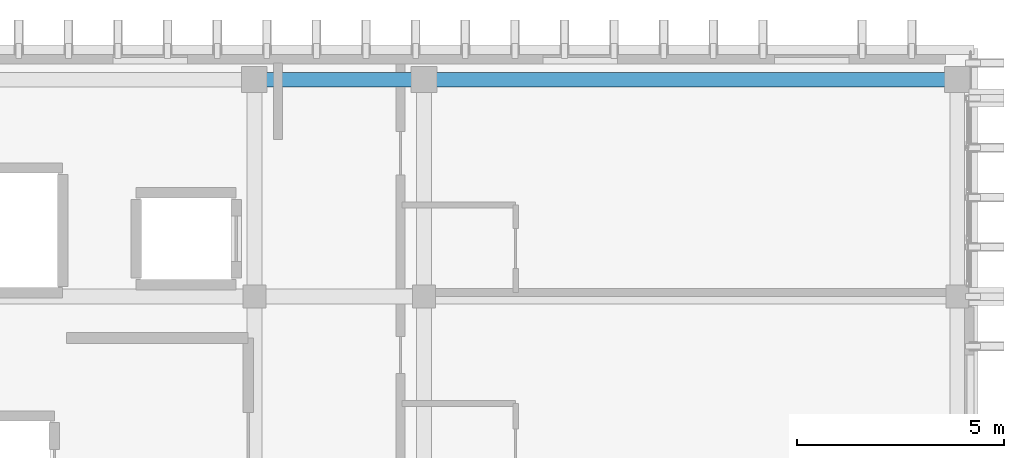
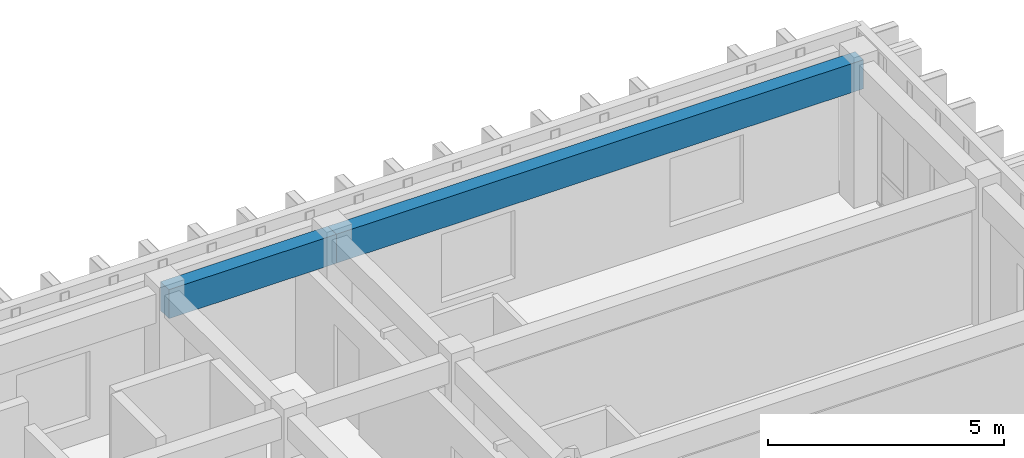
# One storey, part 37 of 50: 2 beams.
"""IFC4 building model written with IfcOpenShell, lengths in metres."""

from ifc_helpers import new_model, si_unit, direction, frame, origin, origin_2d, place, context, subcontext, project, spatial, rectangle, extrude, material, material_profile, profile_set, type_object, element, save


model = new_model("IFC4")

# Units and contexts
model_context = context("Model", 3, precision=1e-05, world=origin(), true_north=direction((0.0, 1.0)))
body_context = subcontext(model_context, "Body", "Model", "MODEL_VIEW")
ifc_project = project(units=[si_unit("LENGTHUNIT", "METRE"), si_unit("AREAUNIT", "SQUARE_METRE"), si_unit("VOLUMEUNIT", "CUBIC_METRE"), si_unit("PLANEANGLEUNIT", "RADIAN"), si_unit("MASSUNIT", "GRAM", prefix="KILO")], contexts=[model_context])

# Site, building, storey
site_placement = place(None, origin())
site = spatial("IfcSite", under=ifc_project, at=site_placement, CompositionType="ELEMENT")
building_placement = place(site_placement, origin())
building = spatial("IfcBuilding", under=site, at=building_placement, Name="Nakhvara Creek Congress Hotel", CompositionType="ELEMENT")
storey_placement = place(building_placement, frame((0.0, 0.0, 42.60009765625)))
storey = spatial("IfcBuildingStorey", under=building, at=storey_placement, Name="L10", CompositionType="ELEMENT", Elevation=42.60009765625)

# Beams
ifc_material = material(Name="Concrete C40/50", Category="concrete")
ifc_material_profile = material_profile(ifc_material, rectangle(XDim=0.35009765625, YDim=0.75, at=origin_2d()), Name="RC-SPANDREL 350x750", Category="LoadBearing")
ifc_profile_set = profile_set([ifc_material_profile], Name="Concrete C40/50")
beam_type = type_object("IfcBeamType", Name="BM-SPN-350X750", PredefinedType="SPANDREL", material=ifc_profile_set)
beam_1_placement = place(storey_placement, frame((162.35009765625, 125.25, 3.284912109375), z_axis=(1.0, 0.0, 0.0), x_axis=(0.0, 1.0, 0.0)))
element("IfcBeam", 1, at=beam_1_placement, inside=storey, type_object=beam_type, Name="Beam SP1-L10-2666", PredefinedType="SPANDREL", context=body_context, shape_type="SweptSolid", body=[
    extrude(rectangle(XDim=0.35009765625, YDim=0.75, at=origin_2d()), origin(), (0.0, 0.0, 1.0), 4.099853515625),
])
beam_2_placement = place(storey_placement, frame((166.449951171875, 125.25, 3.284912109375), z_axis=(1.0, 0.0, 0.0), x_axis=(0.0, 1.0, 0.0)))
element("IfcBeam", 2, at=beam_2_placement, inside=storey, type_object=beam_type, Name="Beam SP1-L10-2686", PredefinedType="SPANDREL", context=body_context, shape_type="SweptSolid", body=[
    extrude(rectangle(XDim=0.35009765625, YDim=0.75, at=origin_2d()), origin(), (0.0, 0.0, 1.0), 12.900146484375),
])

save(model, "model.ifc")
